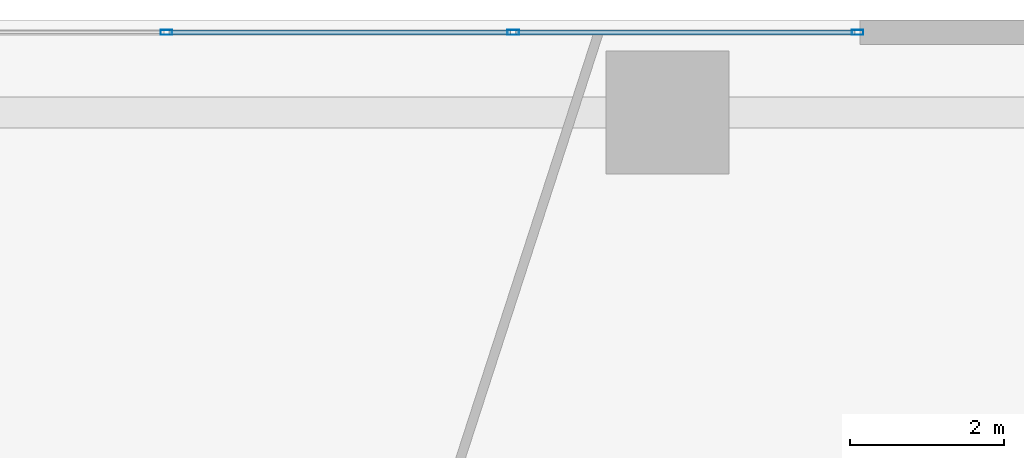
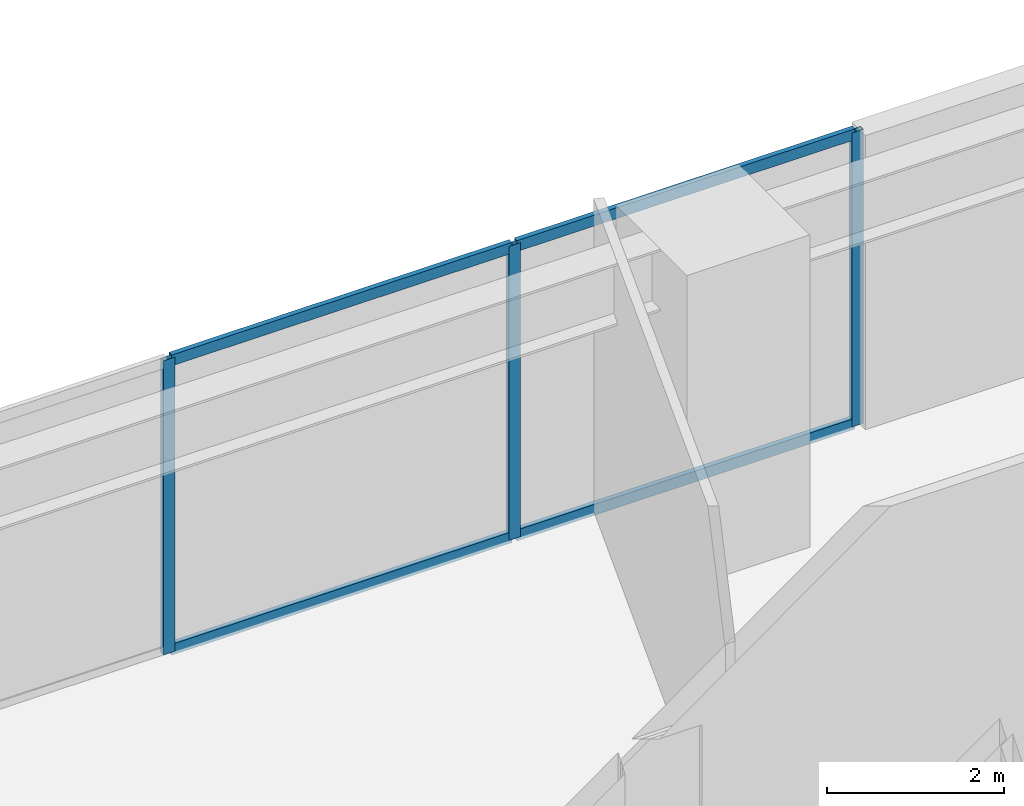
# One storey, part 13 of 25: 7 members, 1 element without a shape of its own.
"""IFC4 building model written with IfcOpenShell, lengths in metres."""

from ifc_helpers import new_model, si_unit, direction, frame, origin, origin_2d, place, context, subcontext, project, spatial, hollow_rectangle, extrude, source, transform, mapped, material, layer, layer_set, material_profile, profile_set, type_object, type_shapes, element, aggregate, save


model = new_model("IFC4")

# Units and contexts
model_context = context("Model", 3, precision=1e-05, world=origin(), true_north=direction((0.0, 1.0)))
body_context = subcontext(model_context, "Body", "Model", "MODEL_VIEW")
ifc_project = project(units=[si_unit("LENGTHUNIT", "METRE"), si_unit("AREAUNIT", "SQUARE_METRE"), si_unit("VOLUMEUNIT", "CUBIC_METRE"), si_unit("PLANEANGLEUNIT", "RADIAN"), si_unit("MASSUNIT", "GRAM", prefix="KILO")], contexts=[model_context])

# Site, building, storey
site_placement = place(None, origin())
site = spatial("IfcSite", under=ifc_project, at=site_placement, CompositionType="ELEMENT")
building_placement = place(site_placement, origin())
building = spatial("IfcBuilding", under=site, at=building_placement, Name="Talar Marvaseh", CompositionType="ELEMENT")
storey_placement = place(building_placement, frame((0.0, 0.0, 5.199951171875)))
storey = spatial("IfcBuildingStorey", under=building, at=storey_placement, Name="L01", CompositionType="ELEMENT", Elevation=5.199951171875)

# Curtain wall, members
ifc_material = material(Name="Architectural Aluminium", Category="aluminium")
ifc_layer = layer(ifc_material, 0.25)
ifc_layer_set = layer_set([ifc_layer], Name="Architectural Aluminium")
curtain_wall_type = type_object("IfcCurtainWallType", Name="Station Podium Monumental Iwan Curtain Wall", PredefinedType="NOTDEFINED", material=ifc_layer_set)
curtain_wall_placement = place(storey_placement, origin())
curtain_wall = element("IfcCurtainWall", 1, at=curtain_wall_placement, inside=storey, type_object=curtain_wall_type, Name="L01 Station Podium Monumental Iwan Curtain Wall", PredefinedType="NOTDEFINED")
ifc_material_profile_1 = material_profile(ifc_material, hollow_rectangle(XDim=0.06494140625, YDim=0.14990234375, WallThickness=0.00390625, at=origin_2d()), Name="RHS150x65x4")
ifc_profile_set_1 = profile_set([ifc_material_profile_1], Name="Architectural Aluminium")
member_type_1 = type_object("IfcMemberType", Name="Unitised Curtain Wall Slim Transom RHS150x65x4", PredefinedType="USERDEFINED", material=ifc_profile_set_1)
shared_shape_1 = source(origin(), body_context, "Body", "SweptSolid", [
    extrude(hollow_rectangle(XDim=0.06494140625, YDim=0.14990234375, WallThickness=0.00390625, at=origin_2d()), origin(), (0.0, 0.0, 1.0), 4.402587890625),
])
member_1_placement = place(storey_placement, frame((31.532470703125, 47.840087890625, 0.032470703125), z_axis=(1.0, 0.0, 0.0), x_axis=(0.0, 1.0, 0.0)))
member_1 = element("IfcMember", 2, at=member_1_placement, type_object=member_type_1, Name="CW-POD transom 4.1", ObjectType="TRANSOM", PredefinedType="USERDEFINED", context=body_context, shape_type="MappedRepresentation", body=[
    mapped(shared_shape_1, transform((0.0, 0.0, 0.0), x_axis=(1.0, 0.0, 0.0), y_axis=(0.0, 1.0, 0.0), z_axis=(0.0, 0.0, 1.0), scale=1.0)),
])
member_2_placement = place(storey_placement, frame((31.532470703125, 47.840087890625, 4.017578125), z_axis=(1.0, 0.0, 0.0), x_axis=(0.0, 1.0, 0.0)))
member_2 = element("IfcMember", 3, at=member_2_placement, type_object=member_type_1, Name="CW-POD transom 4.2", ObjectType="TRANSOM", PredefinedType="USERDEFINED", context=body_context, shape_type="MappedRepresentation", body=[
    mapped(shared_shape_1, transform((0.0, 0.0, 0.0), x_axis=(1.0, 0.0, 0.0), y_axis=(0.0, 1.0, 0.0), z_axis=(0.0, 0.0, 1.0), scale=1.0)),
])
shared_shape_2 = source(origin(), body_context, "Body", "SweptSolid", [
    extrude(hollow_rectangle(XDim=0.06494140625, YDim=0.14990234375, WallThickness=0.00390625, at=origin_2d()), origin(), (0.0, 0.0, 1.0), 4.43505859375),
])
type_shapes(member_type_1, [shared_shape_1, shared_shape_2])
member_3_placement = place(storey_placement, frame((27.032470703125, 47.840087890625, 0.032470703125), z_axis=(1.0, 0.0, 0.0), x_axis=(0.0, 1.0, 0.0)))
member_3 = element("IfcMember", 4, at=member_3_placement, type_object=member_type_1, Name="CW-POD transom 3.1", ObjectType="TRANSOM", PredefinedType="USERDEFINED", context=body_context, shape_type="MappedRepresentation", body=[
    mapped(shared_shape_2, transform((0.0, 0.0, 0.0), x_axis=(1.0, 0.0, 0.0), y_axis=(0.0, 1.0, 0.0), z_axis=(0.0, 0.0, 1.0), scale=1.0)),
])
member_4_placement = place(storey_placement, frame((27.032470703125, 47.840087890625, 4.017578125), z_axis=(1.0, 0.0, 0.0), x_axis=(0.0, 1.0, 0.0)))
member_4 = element("IfcMember", 5, at=member_4_placement, type_object=member_type_1, Name="CW-POD transom 3.2", ObjectType="TRANSOM", PredefinedType="USERDEFINED", context=body_context, shape_type="MappedRepresentation", body=[
    mapped(shared_shape_2, transform((0.0, 0.0, 0.0), x_axis=(1.0, 0.0, 0.0), y_axis=(0.0, 1.0, 0.0), z_axis=(0.0, 0.0, 1.0), scale=1.0)),
])
ifc_material_profile_2 = material_profile(ifc_material, hollow_rectangle(XDim=0.06494140625, YDim=0.14990234375, WallThickness=0.00390625, at=origin_2d()), Name="RHS150x65x4")
ifc_profile_set_2 = profile_set([ifc_material_profile_2], Name="Architectural Aluminium")
member_type_2 = type_object("IfcMemberType", Name="Unitised Curtain Wall Slim Mullion RHS150x65x4", PredefinedType="MULLION", material=ifc_profile_set_2)
shared_shape_3 = source(origin(), body_context, "Body", "SweptSolid", [
    extrude(hollow_rectangle(XDim=0.06494140625, YDim=0.14990234375, WallThickness=0.00390625, at=origin_2d()), origin(), (0.0, 0.0, 1.0), 4.050048828125),
])
type_shapes(member_type_2, [shared_shape_3])
member_5_placement = place(storey_placement, frame((27.0, 47.840087890625, 0.0), z_axis=(0.0, 0.0, 1.0), x_axis=(0.0, 1.0, 0.0)))
member_5 = element("IfcMember", 6, at=member_5_placement, type_object=member_type_2, Name="CW-POD mullion 3", PredefinedType="MULLION", context=body_context, shape_type="MappedRepresentation", body=[
    mapped(shared_shape_3, transform((0.0, 0.0, 0.0), x_axis=(1.0, 0.0, 0.0), y_axis=(0.0, 1.0, 0.0), z_axis=(0.0, 0.0, 1.0), scale=1.0)),
])
member_6_placement = place(storey_placement, frame((31.5, 47.840087890625, 0.0), z_axis=(0.0, 0.0, 1.0), x_axis=(0.0, 1.0, 0.0)))
member_6 = element("IfcMember", 7, at=member_6_placement, type_object=member_type_2, Name="CW-POD mullion 4", PredefinedType="MULLION", context=body_context, shape_type="MappedRepresentation", body=[
    mapped(shared_shape_3, transform((0.0, 0.0, 0.0), x_axis=(1.0, 0.0, 0.0), y_axis=(0.0, 1.0, 0.0), z_axis=(0.0, 0.0, 1.0), scale=1.0)),
])
member_7_placement = place(storey_placement, frame((35.967529296875, 47.840087890625, 0.0), z_axis=(0.0, 0.0, 1.0), x_axis=(0.0, 1.0, 0.0)))
member_7 = element("IfcMember", 8, at=member_7_placement, type_object=member_type_2, Name="CW-POD mullion 5", PredefinedType="MULLION", context=body_context, shape_type="MappedRepresentation", body=[
    mapped(shared_shape_3, transform((0.0, 0.0, 0.0), x_axis=(1.0, 0.0, 0.0), y_axis=(0.0, 1.0, 0.0), z_axis=(0.0, 0.0, 1.0), scale=1.0)),
])
aggregate(curtain_wall, [member_5, member_6, member_7, member_3, member_4, member_1, member_2])

save(model, "model.ifc")
